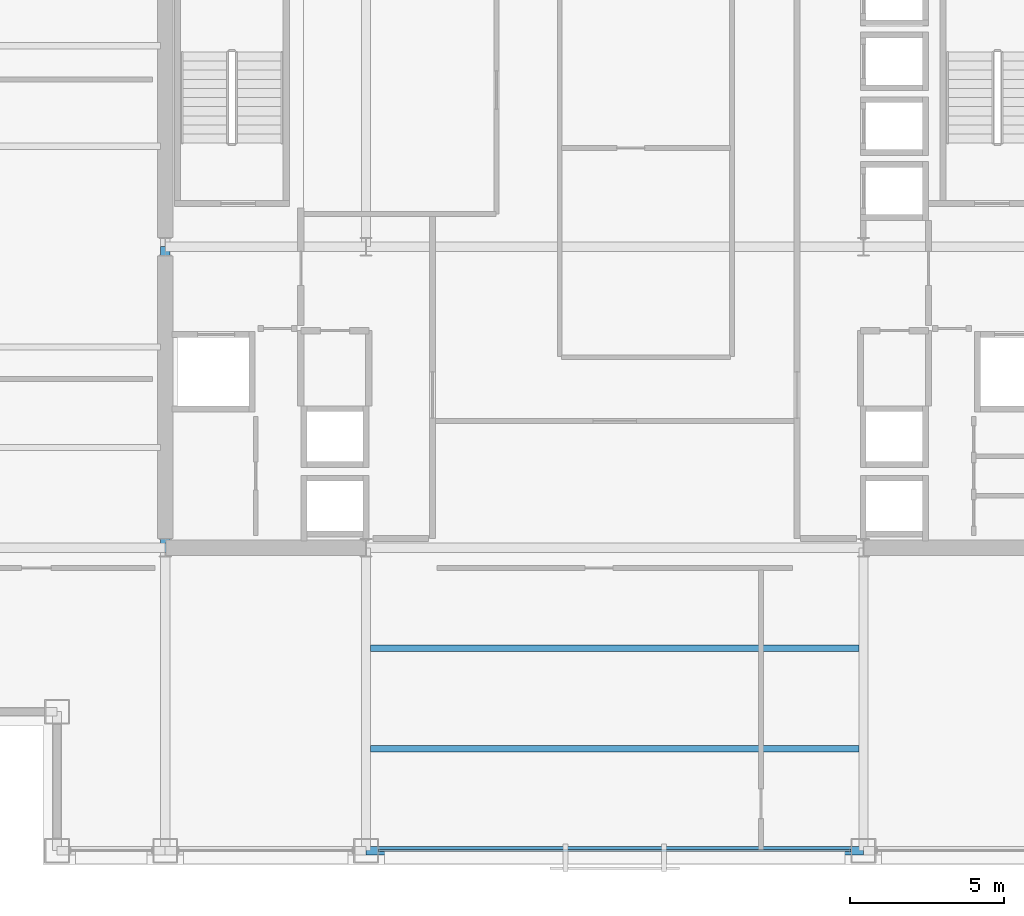
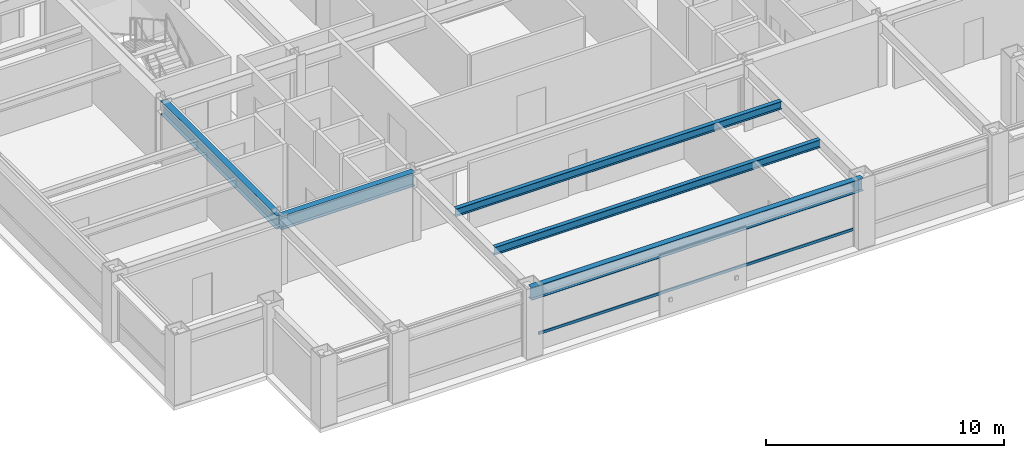
# One storey, part 5 of 28: 5 beams, 1 member, 1 element without a shape of its own.
"""IFC4 building model written with IfcOpenShell, lengths in metres."""

from ifc_helpers import new_model, si_unit, direction, frame, origin, origin_2d, place, context, subcontext, project, spatial, hollow_rectangle, i_section, extrude, material, layer, layer_set, material_profile, profile_set, type_object, element, aggregate, save


model = new_model("IFC4")

# Units and contexts
model_context = context("Model", 3, precision=1e-05, world=origin(), true_north=direction((0.0, 1.0)))
body_context = subcontext(model_context, "Body", "Model", "MODEL_VIEW")
ifc_project = project(units=[si_unit("LENGTHUNIT", "METRE"), si_unit("AREAUNIT", "SQUARE_METRE"), si_unit("VOLUMEUNIT", "CUBIC_METRE"), si_unit("PLANEANGLEUNIT", "RADIAN"), si_unit("MASSUNIT", "GRAM", prefix="KILO")], contexts=[model_context])

# Site, building, storey
site_placement = place(None, origin())
site = spatial("IfcSite", under=ifc_project, at=site_placement, CompositionType="ELEMENT")
building_placement = place(site_placement, origin())
building = spatial("IfcBuilding", under=site, at=building_placement, Name="Brelmoor Portico Tower", CompositionType="ELEMENT")
storey_placement = place(building_placement, frame((0.0, 0.0, 142.199951171875)))
storey = spatial("IfcBuildingStorey", under=building, at=storey_placement, Name="L37", CompositionType="ELEMENT", Elevation=142.199951171875)

# Beams
ifc_material_1 = material(Name="Steel Q355B", Category="steel")
ifc_material_profile_1 = material_profile(ifc_material_1, i_section(OverallWidth=0.199951171875, OverallDepth=0.39990234375, WebThickness=0.008056640625, FlangeThickness=0.012939453125, at=origin_2d()), Name="HN 400x200x8x13")
ifc_profile_set_1 = profile_set([ifc_material_profile_1], Name="Steel Q355B")
beam_type_1 = type_object("IfcBeamType", Name="BM-JS-400", PredefinedType="JOIST", material=ifc_profile_set_1)
for number, where, z_axis, x_axis, name in (
    (1, (-7.89990234375, -16.25, 3.199951171875), (1.0, 0.0, 0.0), (0.0, 1.0, 0.0), "L37 Secondary Composite Joist JS-C01"),
    (2, (-7.89990234375, -13.0, 3.199951171875), (1.0, 0.0, 0.0), (0.0, 1.0, 0.0), "L37 Secondary Composite Joist JS-C02"),
):
    element("IfcBeam", number, at=place(storey_placement, frame(where, z_axis=z_axis, x_axis=x_axis)), inside=storey, type_object=beam_type_1, Name=name, PredefinedType="JOIST", context=body_context, shape_type="SweptSolid", body=[
        extrude(i_section(OverallWidth=0.199951171875, OverallDepth=0.39990234375, WebThickness=0.008056640625, FlangeThickness=0.012939453125, at=origin_2d()), origin(), (0.0, 0.0, 1.0), 15.7998046875),
    ])
ifc_material_profile_2 = material_profile(ifc_material_1, i_section(OverallWidth=0.300048828125, OverallDepth=0.699951171875, WebThickness=0.012939453125, FlangeThickness=0.02392578125, at=origin_2d()), Name="HN 700x300x13x24")
ifc_profile_set_2 = profile_set([ifc_material_profile_2], Name="Steel Q355B")
beam_type_2 = type_object("IfcBeamType", Name="BM-PG-700", PredefinedType="BEAM", material=ifc_profile_set_2)
beam_1_placement = place(storey_placement, frame((-14.550048828125, -9.75, 3.050048828125), z_axis=(0.0, 1.0, 0.0), x_axis=(-1.0, 0.0, 0.0)))
element("IfcBeam", 3, at=beam_1_placement, inside=storey, type_object=beam_type_2, Name="L37 Primary Floor Girder PG-02", PredefinedType="BEAM", context=body_context, shape_type="SweptSolid", body=[
    extrude(i_section(OverallWidth=0.300048828125, OverallDepth=0.699951171875, WebThickness=0.012939453125, FlangeThickness=0.02392578125, at=origin_2d()), origin(), (0.0, 0.0, 1.0), 9.75),
])
beam_2_placement = place(storey_placement, frame((-14.550048828125, -9.75, 3.050048828125), z_axis=(1.0, 0.0, 0.0), x_axis=(0.0, 1.0, 0.0)))
element("IfcBeam", 4, at=beam_2_placement, inside=storey, type_object=beam_type_2, Name="L37 Primary Floor Girder PG-15", PredefinedType="BEAM", context=body_context, shape_type="SweptSolid", body=[
    extrude(i_section(OverallWidth=0.300048828125, OverallDepth=0.699951171875, WebThickness=0.012939453125, FlangeThickness=0.02392578125, at=origin_2d()), origin(), (0.0, 0.0, 1.0), 6.5),
])
ifc_material_profile_3 = material_profile(ifc_material_1, i_section(OverallWidth=0.280029296875, OverallDepth=0.64990234375, WebThickness=0.012939453125, FlangeThickness=0.02197265625, at=origin_2d()), Name="HN 650x280x13x22")
ifc_profile_set_3 = profile_set([ifc_material_profile_3], Name="Steel Q355B")
beam_type_3 = type_object("IfcBeamType", Name="BM-SP-650", PredefinedType="SPANDREL", material=ifc_profile_set_3)
beam_3_placement = place(storey_placement, frame((-8.050048828125, -19.550048828125, 3.074951171875), z_axis=(1.0, 0.0, 0.0), x_axis=(0.0, 1.0, 0.0)))
element("IfcBeam", 5, at=beam_3_placement, inside=storey, type_object=beam_type_3, Name="L37 Perimeter Spandrel Beam SP-03", PredefinedType="SPANDREL", context=body_context, shape_type="SweptSolid", body=[
    extrude(i_section(OverallWidth=0.280029296875, OverallDepth=0.64990234375, WebThickness=0.012939453125, FlangeThickness=0.02197265625, at=origin_2d()), origin(), (0.0, 0.0, 1.0), 16.10009765625),
])

# Curtain wall, member
ifc_material_2 = material(Name="Anodised Aluminium Alloy 6063-T6", Category="aluminium")
ifc_layer = layer(ifc_material_2, 0.179931640625)
ifc_layer_set = layer_set([ifc_layer], Name="Anodised Aluminium Alloy 6063-T6")
curtain_wall_type = type_object("IfcCurtainWallType", Name="CW-TOWER-Z2", PredefinedType="NOTDEFINED", material=ifc_layer_set)
curtain_wall_placement = place(storey_placement, origin())
curtain_wall = element("IfcCurtainWall", 6, at=curtain_wall_placement, inside=storey, type_object=curtain_wall_type, Name="L37 Curtain Wall CW-L37-01-3", PredefinedType="NOTDEFINED")
ifc_material_profile_4 = material_profile(ifc_material_2, hollow_rectangle(XDim=0.06494140625, YDim=0.139892578125, WallThickness=0.00390625, at=origin_2d()), Name="ALU TRANSOM 65x140")
ifc_profile_set_4 = profile_set([ifc_material_profile_4], Name="Anodised Aluminium Alloy 6063-T6")
member_type = type_object("IfcMemberType", Name="MB-CW-TRAN-140", PredefinedType="USERDEFINED", material=ifc_profile_set_4)
member_placement = place(storey_placement, frame((-7.639892578125, -19.550048828125, 0.85009765625), z_axis=(1.0, 0.0, 0.0), x_axis=(0.0, 1.0, 0.0)))
member = element("IfcMember", 7, at=member_placement, type_object=member_type, Name="CW-L37-01-3 Transom 1-00", ObjectType="TRANSOM", PredefinedType="USERDEFINED", context=body_context, shape_type="SweptSolid", body=[
    extrude(hollow_rectangle(XDim=0.06494140625, YDim=0.139892578125, WallThickness=0.00390625, at=origin_2d()), origin(), (0.0, 0.0, 1.0), 15.27978515625),
])
aggregate(curtain_wall, [member])

save(model, "model.ifc")
